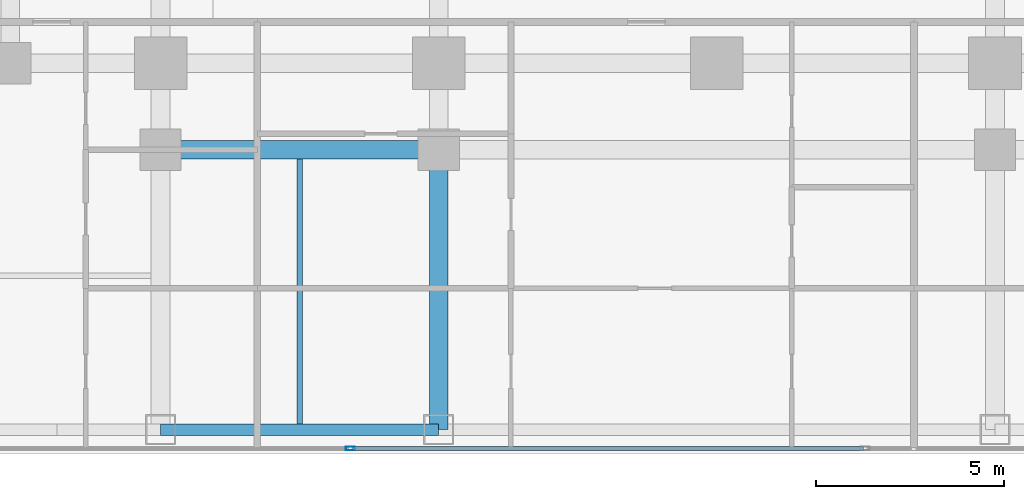
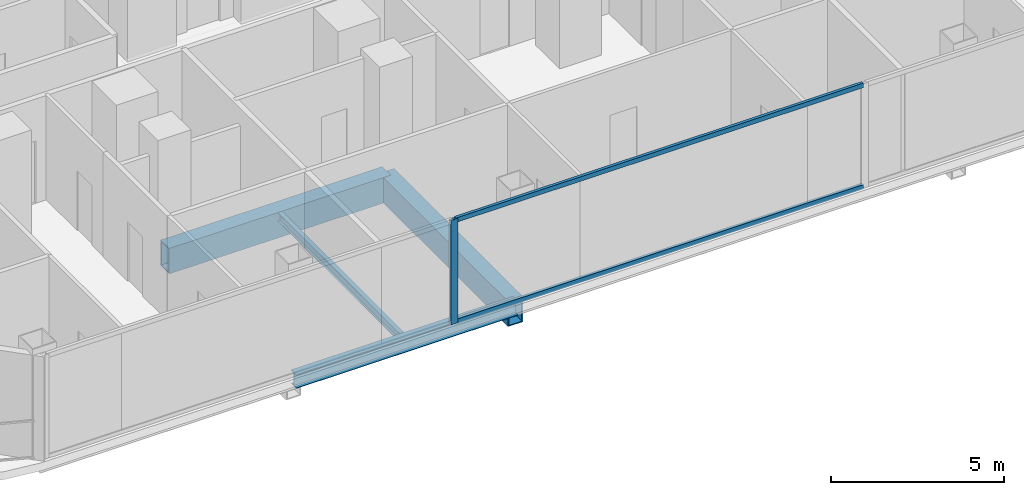
# One storey, part 4 of 29: 4 beams, 3 members, 1 element without a shape of its own.
"""IFC4 building model written with IfcOpenShell, lengths in metres."""

from ifc_helpers import new_model, si_unit, direction, frame, origin, origin_2d, place, context, subcontext, project, spatial, hollow_rectangle, i_section, extrude, material, layer, layer_set, material_profile, profile_set, type_object, element, aggregate, save


model = new_model("IFC4")

# Units and contexts
model_context = context("Model", 3, precision=1e-05, world=origin(), true_north=direction((0.0, 1.0)))
body_context = subcontext(model_context, "Body", "Model", "MODEL_VIEW")
ifc_project = project(units=[si_unit("LENGTHUNIT", "METRE"), si_unit("AREAUNIT", "SQUARE_METRE"), si_unit("VOLUMEUNIT", "CUBIC_METRE"), si_unit("PLANEANGLEUNIT", "RADIAN"), si_unit("MASSUNIT", "GRAM", prefix="KILO")], contexts=[model_context])

# Site, building, storey
site_placement = place(None, origin())
site = spatial("IfcSite", under=ifc_project, at=site_placement, CompositionType="ELEMENT")
building_placement = place(site_placement, origin())
building = spatial("IfcBuilding", under=site, at=building_placement, Name="Khorvyn Point Tower", CompositionType="ELEMENT")
storey_placement = place(building_placement, frame((0.0, 0.0, 54.0)))
storey = spatial("IfcBuildingStorey", under=building, at=storey_placement, Name="L14", CompositionType="ELEMENT", Elevation=54.0)

# Curtain wall, members
ifc_material_1 = material(Name="Anodised aluminium 6063-T6 and laminated Low-E glass", Category="aluminium")
ifc_layer = layer(ifc_material_1, 0.18994140625)
ifc_layer_set = layer_set([ifc_layer], Name="Stick-Built Finned Residential Curtain Wall CW-SYS-02")
curtain_wall_type = type_object("IfcCurtainWallType", Name="Stick-Built Finned Residential Curtain Wall CW-SYS-02", PredefinedType="NOTDEFINED", material=ifc_layer_set)
curtain_wall_placement = place(storey_placement, origin())
curtain_wall = element("IfcCurtainWall", 1, at=curtain_wall_placement, inside=storey, type_object=curtain_wall_type, Name="Curtain Wall", PredefinedType="NOTDEFINED")
ifc_material_2 = material(Name="Anodised aluminium 6063-T6", Category="aluminium")
ifc_material_profile_1 = material_profile(ifc_material_2, hollow_rectangle(XDim=0.10009765625, YDim=0.239990234375, WallThickness=0.0048828125, at=origin_2d()))
ifc_profile_set_1 = profile_set([ifc_material_profile_1], Name="Anodised aluminium 6063-T6 ALU-MUL-100x240")
member_type_1 = type_object("IfcMemberType", Name="Anodised Aluminium 6063-T6 Mullion ALU-MUL-100x240", PredefinedType="MULLION", material=ifc_profile_set_1)
member_1_placement = place(storey_placement, frame((-9.75, -25.050048828125, 0.0), z_axis=(0.0, 0.0, 1.0), x_axis=(0.0, -1.0, 0.0)))
member_1 = element("IfcMember", 2, at=member_1_placement, type_object=member_type_1, Name="Transom", PredefinedType="MULLION", context=body_context, shape_type="SweptSolid", body=[
    extrude(hollow_rectangle(XDim=0.10009765625, YDim=0.239990234375, WallThickness=0.0048828125, at=origin_2d()), origin(), (0.0, 0.0, 1.0), 3.679931640625),
])
ifc_material_profile_2 = material_profile(ifc_material_2, hollow_rectangle(XDim=0.10009765625, YDim=0.159912109375, WallThickness=0.00439453125, at=origin_2d()))
ifc_profile_set_2 = profile_set([ifc_material_profile_2], Name="Anodised aluminium 6063-T6 ALU-TRN-100x160")
member_type_2 = type_object("IfcMemberType", Name="Anodised Aluminium 6063-T6 Transom ALU-TRN-100x160", PredefinedType="USERDEFINED", material=ifc_profile_set_2)
member_2_placement = place(storey_placement, frame((3.89990234375, -25.050048828125, 0.050048828125), z_axis=(-1.0, 0.0, 0.0), x_axis=(0.0, -1.0, 0.0)))
member_2 = element("IfcMember", 3, at=member_2_placement, type_object=member_type_2, Name="Transom", ObjectType="TRANSOM", PredefinedType="USERDEFINED", context=body_context, shape_type="SweptSolid", body=[
    extrude(hollow_rectangle(XDim=0.10009765625, YDim=0.159912109375, WallThickness=0.00439453125, at=origin_2d()), origin(), (0.0, 0.0, 1.0), 13.599853515625),
])
member_3_placement = place(storey_placement, frame((3.89990234375, -25.050048828125, 3.6298828125), z_axis=(-1.0, 0.0, 0.0), x_axis=(0.0, -1.0, 0.0)))
member_3 = element("IfcMember", 4, at=member_3_placement, type_object=member_type_2, Name="Transom", ObjectType="TRANSOM", PredefinedType="USERDEFINED", context=body_context, shape_type="SweptSolid", body=[
    extrude(hollow_rectangle(XDim=0.10009765625, YDim=0.159912109375, WallThickness=0.00439453125, at=origin_2d()), origin(), (0.0, 0.0, 1.0), 13.599853515625),
])
aggregate(curtain_wall, [member_1, member_2, member_3])

# Beams
ifc_material_3 = material(Name="Steel S355", Category="steel")
ifc_material_profile_3 = material_profile(ifc_material_3, i_section(OverallWidth=0.14990234375, OverallDepth=0.300048828125, WebThickness=0.006591796875, FlangeThickness=0.009033203125, at=origin_2d()))
ifc_profile_set_3 = profile_set([ifc_material_profile_3], Name="Steel S355 H300x150x6.5x9")
beam_type_1 = type_object("IfcBeamType", Name="Steel S355 Joist H300x150x6.5x9", PredefinedType="JOIST", material=ifc_profile_set_3)
beam_1_placement = place(storey_placement, frame((-11.10009765625, -24.39990234375, -0.429931640625), z_axis=(0.0, 1.0, 0.0), x_axis=(-1.0, 0.0, 0.0)))
element("IfcBeam", 5, at=beam_1_placement, inside=storey, type_object=beam_type_1, Name="Beam", PredefinedType="JOIST", context=body_context, shape_type="SweptSolid", body=[
    extrude(i_section(OverallWidth=0.14990234375, OverallDepth=0.300048828125, WebThickness=0.006591796875, FlangeThickness=0.009033203125, at=origin_2d()), origin(), (0.0, 0.0, 1.0), 7.0498046875),
])
ifc_material_profile_4 = material_profile(ifc_material_3, i_section(OverallWidth=0.300048828125, OverallDepth=0.488037109375, WebThickness=0.010986328125, FlangeThickness=0.01806640625, at=origin_2d()))
ifc_profile_set_4 = profile_set([ifc_material_profile_4], Name="Steel S355 H488x300x11x18")
beam_type_2 = type_object("IfcBeamType", Name="Steel S355 Spandrel H488x300x11x18", PredefinedType="SPANDREL", material=ifc_profile_set_4)
beam_2_placement = place(storey_placement, frame((-14.800048828125, -24.550048828125, -0.52392578125), z_axis=(1.0, 0.0, 0.0), x_axis=(0.0, 1.0, 0.0)))
element("IfcBeam", 6, at=beam_2_placement, inside=storey, type_object=beam_type_2, Name="Beam", PredefinedType="SPANDREL", context=body_context, shape_type="SweptSolid", body=[
    extrude(i_section(OverallWidth=0.300048828125, OverallDepth=0.488037109375, WebThickness=0.010986328125, FlangeThickness=0.01806640625, at=origin_2d()), origin(), (0.0, 0.0, 1.0), 7.400146484375),
])
ifc_material_4 = material(Name="Steel S450", Category="steel")
ifc_material_profile_5 = material_profile(ifc_material_4, hollow_rectangle(XDim=0.5, YDim=0.89990234375, WallThickness=0.0400390625, at=origin_2d()))
ifc_profile_set_5 = profile_set([ifc_material_profile_5], Name="Steel S450 BOX900x500x40")
beam_type_3 = type_object("IfcBeamType", Name="Steel S450 Beam BOX900x500x40", PredefinedType="BEAM", material=ifc_profile_set_5)
beam_3_placement = place(storey_placement, frame((-14.800048828125, -17.10009765625, -0.72998046875), z_axis=(1.0, 0.0, 0.0), x_axis=(0.0, 1.0, 0.0)))
element("IfcBeam", 7, at=beam_3_placement, inside=storey, type_object=beam_type_3, Name="Beam", PredefinedType="BEAM", context=body_context, shape_type="SweptSolid", body=[
    extrude(hollow_rectangle(XDim=0.5, YDim=0.89990234375, WallThickness=0.0400390625, at=origin_2d()), origin(), (0.0, 0.0, 1.0), 7.400146484375),
])
beam_4_placement = place(storey_placement, frame((-7.39990234375, -24.550048828125, -0.72998046875), z_axis=(0.0, 1.0, 0.0), x_axis=(-1.0, 0.0, 0.0)))
element("IfcBeam", 8, at=beam_4_placement, inside=storey, type_object=beam_type_3, Name="Beam", PredefinedType="BEAM", context=body_context, shape_type="SweptSolid", body=[
    extrude(hollow_rectangle(XDim=0.5, YDim=0.89990234375, WallThickness=0.0400390625, at=origin_2d()), origin(), (0.0, 0.0, 1.0), 7.449951171875),
])

save(model, "model.ifc")
